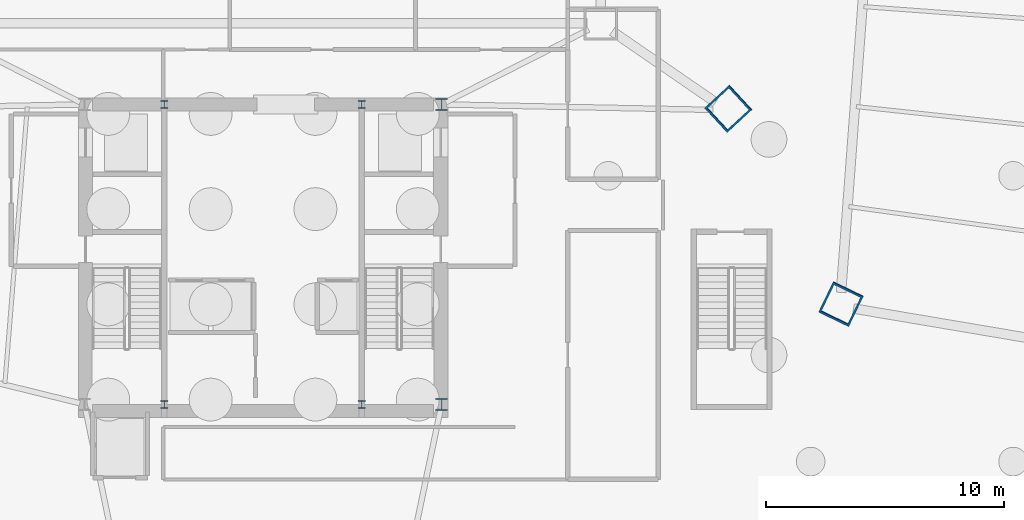
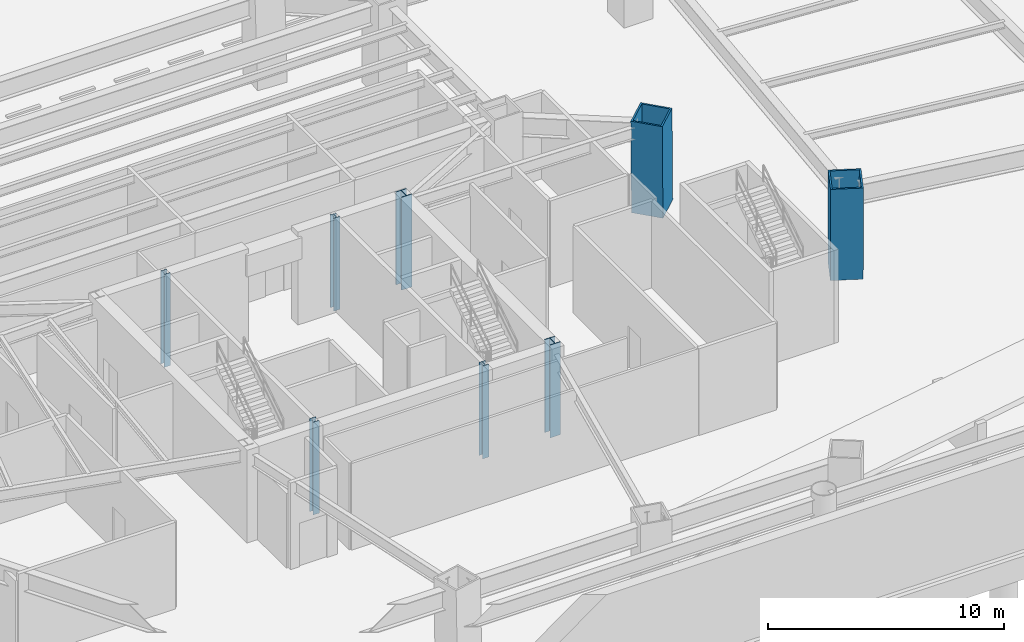
# One storey, part 3 of 11: 8 columns.
"""IFC4 building model written with IfcOpenShell, lengths in metres."""

from ifc_helpers import new_model, si_unit, direction, frame, origin, origin_2d, place, context, subcontext, project, spatial, hollow_rectangle, i_section, extrude, source, transform, mapped, material, material_profile, profile_set, type_object, type_shapes, element, save


model = new_model("IFC4")

# Units and contexts
model_context = context("Model", 3, precision=1e-05, world=origin(), true_north=direction((0.0, 1.0)))
body_context = subcontext(model_context, "Body", "Model", "MODEL_VIEW")
ifc_project = project(units=[si_unit("LENGTHUNIT", "METRE"), si_unit("AREAUNIT", "SQUARE_METRE"), si_unit("VOLUMEUNIT", "CUBIC_METRE"), si_unit("PLANEANGLEUNIT", "RADIAN"), si_unit("MASSUNIT", "GRAM", prefix="KILO")], contexts=[model_context])

# Site, building, storey
site_placement = place(None, origin())
site = spatial("IfcSite", under=ifc_project, at=site_placement, CompositionType="ELEMENT")
building_placement = place(site_placement, origin())
building = spatial("IfcBuilding", under=site, at=building_placement, Name="Caelisora Broadcast Tower", CompositionType="ELEMENT")
storey_placement = place(building_placement, frame((0.0, 0.0, -4.800048828125)))
storey = spatial("IfcBuildingStorey", under=building, at=storey_placement, Name="B1", CompositionType="ELEMENT", Elevation=-4.800048828125)

# Columns
ifc_material_1 = material(Name="Steel Grade 350 (AS/NZS 3679.2)", Category="steel")
ifc_material_profile_1 = material_profile(ifc_material_1, i_section(OverallWidth=0.5, OverallDepth=0.5, WebThickness=0.028076171875, FlangeThickness=0.0400390625, at=origin_2d()), Name="Steel Grade 350 (AS/NZS 3679.2)")
ifc_profile_set_1 = profile_set([ifc_material_profile_1], Name="Steel Grade 350 (AS/NZS 3679.2)")
column_type_1 = type_object("IfcColumnType", Name="CC01", PredefinedType="COLUMN", material=ifc_profile_set_1)
shared_shape_1 = source(origin(), body_context, "Body", "SweptSolid", [
    extrude(i_section(OverallWidth=0.5, OverallDepth=0.5, WebThickness=0.028076171875, FlangeThickness=0.0400390625, at=origin_2d()), origin(), (0.0, 0.0, 1.0), 4.800048828125),
])
type_shapes(column_type_1, [shared_shape_1])
for number, where, z_axis, x_axis, name in (
    (1, (45.5, 17.39990234375, 0.0), (0.0, 0.0, 1.0), (1.0, 0.0, 0.0), "B1 column CC01"),
    (2, (45.5, 30.0, 0.0), (0.0, 0.0, 1.0), (1.0, 0.0, 0.0), "B1 column CC01"),
):
    element("IfcColumn", number, at=place(storey_placement, frame(where, z_axis=z_axis, x_axis=x_axis)), inside=storey, type_object=column_type_1, Name=name, PredefinedType="COLUMN", context=body_context, shape_type="MappedRepresentation", body=[
        mapped(shared_shape_1, transform((0.0, 0.0, 0.0), scale=1.0)),
    ])
ifc_material_2 = material(Name="Steel Grade 350 (AS/NZS 3679.1)", Category="steel")
ifc_material_profile_2 = material_profile(ifc_material_2, i_section(OverallWidth=0.306884765625, OverallDepth=0.314697265625, WebThickness=0.011962890625, FlangeThickness=0.018798828125, at=origin_2d()), Name="Steel Grade 350 (AS/NZS 3679.1)")
ifc_profile_set_2 = profile_set([ifc_material_profile_2], Name="Steel Grade 350 (AS/NZS 3679.1)")
column_type_2 = type_object("IfcColumnType", Name="CC04", PredefinedType="COLUMN", material=ifc_profile_set_2)
shared_shape_2 = source(origin(), body_context, "Body", "SweptSolid", [
    extrude(i_section(OverallWidth=0.306884765625, OverallDepth=0.314697265625, WebThickness=0.011962890625, FlangeThickness=0.018798828125, at=origin_2d()), origin(), (0.0, 0.0, 1.0), 4.800048828125),
])
type_shapes(column_type_2, [shared_shape_2])
for number, where, z_axis, x_axis, name in (
    (3, (33.85009765625, 17.39990234375, 0.0), (0.0, 0.0, 1.0), (1.0, 0.0, 0.0), "B1 column CC04"),
    (4, (42.14990234375, 17.39990234375, 0.0), (0.0, 0.0, 1.0), (1.0, 0.0, 0.0), "B1 column CC04"),
    (5, (33.85009765625, 30.0, 0.0), (0.0, 0.0, 1.0), (1.0, 0.0, 0.0), "B1 column CC04"),
    (6, (42.14990234375, 30.0, 0.0), (0.0, 0.0, 1.0), (1.0, 0.0, 0.0), "B1 column CC04"),
):
    element("IfcColumn", number, at=place(storey_placement, frame(where, z_axis=z_axis, x_axis=x_axis)), inside=storey, type_object=column_type_2, Name=name, PredefinedType="COLUMN", context=body_context, shape_type="MappedRepresentation", body=[
        mapped(shared_shape_2, transform((0.0, 0.0, 0.0), scale=1.0)),
    ])
ifc_material_3 = material(Name="Steel Grade 350 L15 (AS/NZS 3678)", Category="steel")
ifc_material_profile_3 = material_profile(ifc_material_3, hollow_rectangle(XDim=1.39990234375, YDim=1.39990234375, WallThickness=0.080078125, at=origin_2d()), Name="Steel Grade 350 L15 (AS/NZS 3678)")
ifc_profile_set_3 = profile_set([ifc_material_profile_3], Name="Steel Grade 350 L15 (AS/NZS 3678)")
column_type_3 = type_object("IfcColumnType", Name="MC01", PredefinedType="COLUMN", material=ifc_profile_set_3)
shared_shape_3 = source(origin(), body_context, "Body", "SweptSolid", [
    extrude(hollow_rectangle(XDim=1.39990234375, YDim=1.39990234375, WallThickness=0.080078125, at=origin_2d()), origin(), (0.0, 0.0, 1.0), 4.801513671875),
])
column_1_placement = place(storey_placement, frame((62.281494140625, 21.626708984375, 0.0), z_axis=(-0.01042374304, -0.021559351459, 0.999713228854), x_axis=(0.900293483537, -0.435283405956, 0.0)))
element("IfcColumn", 7, at=column_1_placement, inside=storey, type_object=column_type_3, Name="B1 column MC01", PredefinedType="COLUMN", context=body_context, shape_type="MappedRepresentation", body=[
    mapped(shared_shape_3, transform((0.0, 0.0, 0.0), scale=1.0)),
])
shared_shape_4 = source(origin(), body_context, "Body", "SweptSolid", [
    extrude(hollow_rectangle(XDim=1.39990234375, YDim=1.39990234375, WallThickness=0.080078125, at=origin_2d()), origin(), (0.0, 0.0, 1.0), 4.801025390625),
])
type_shapes(column_type_3, [shared_shape_3, shared_shape_4])
column_2_placement = place(storey_placement, frame((57.54931640625, 29.82275390625, 0.0), z_axis=(-0.014899529501, -0.013780793498, 0.999794025663), x_axis=(0.679008224545, -0.734130663438, 0.0)))
element("IfcColumn", 8, at=column_2_placement, inside=storey, type_object=column_type_3, Name="B1 column MC01", PredefinedType="COLUMN", context=body_context, shape_type="MappedRepresentation", body=[
    mapped(shared_shape_4, transform((0.0, 0.0, 0.0), scale=1.0)),
])

save(model, "model.ifc")
